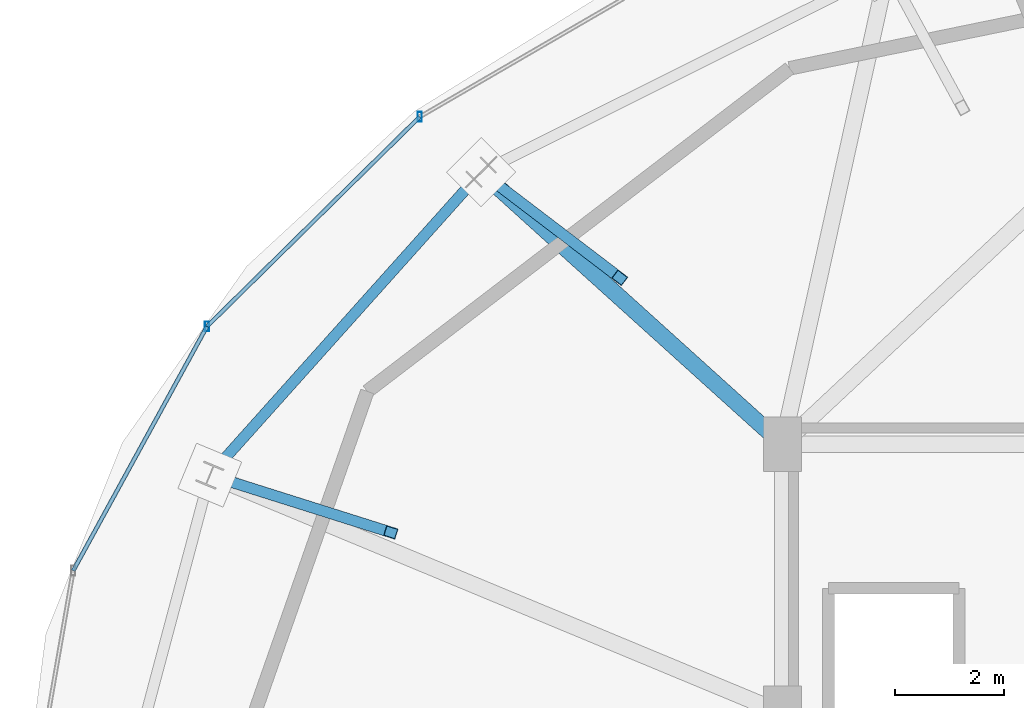
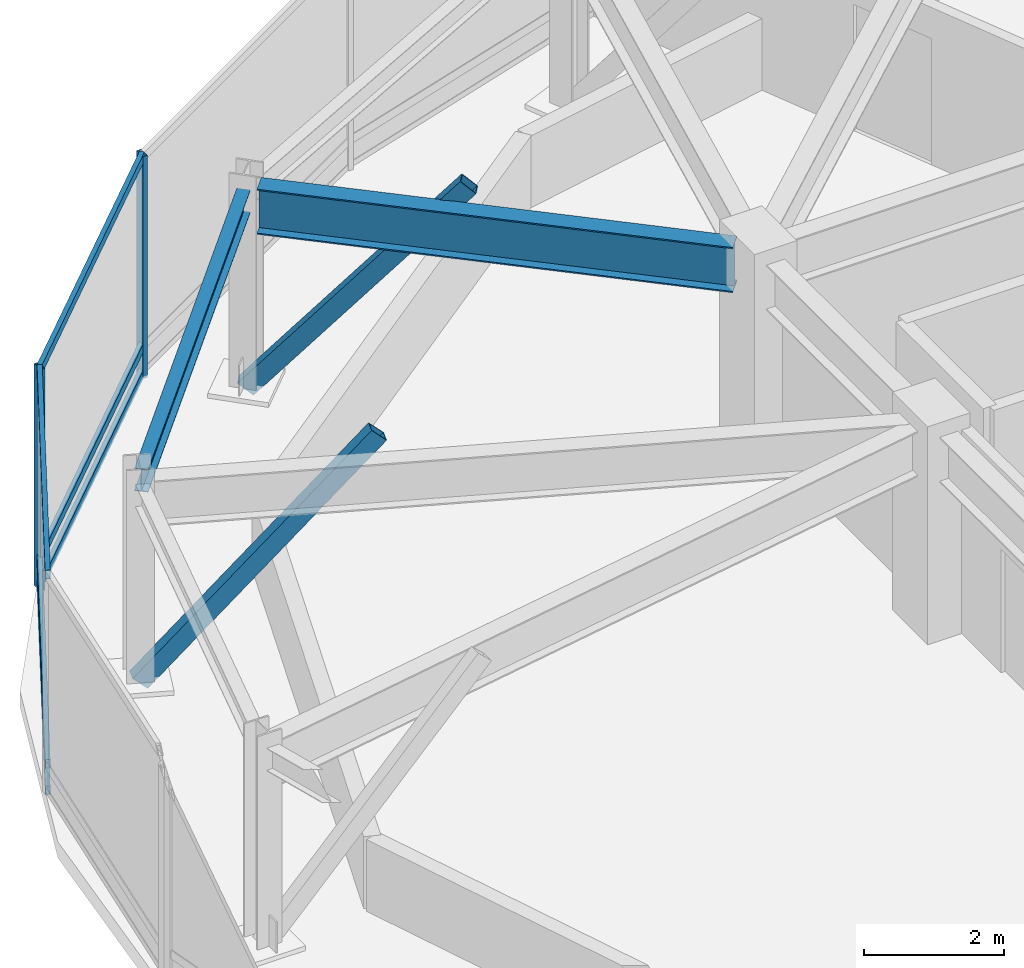
# One storey, part 10 of 28: 10 members, 2 beams, 1 element without a shape of its own.
"""IFC4 building model written with IfcOpenShell, lengths in metres."""

from ifc_helpers import new_model, si_unit, direction, frame, origin, origin_2d, place, context, subcontext, project, spatial, hollow_rectangle, i_section, extrude, material, material_profile, profile_set, type_object, element, aggregate, save


model = new_model("IFC4")

# Units and contexts
model_context = context("Model", 3, precision=1e-05, world=origin(), true_north=direction((0.0, 1.0)))
body_context = subcontext(model_context, "Body", "Model", "MODEL_VIEW")
ifc_project = project(units=[si_unit("LENGTHUNIT", "METRE"), si_unit("AREAUNIT", "SQUARE_METRE"), si_unit("VOLUMEUNIT", "CUBIC_METRE"), si_unit("PLANEANGLEUNIT", "RADIAN"), si_unit("MASSUNIT", "GRAM", prefix="KILO")], contexts=[model_context])

# Site, building, storey
site_placement = place(None, origin())
site = spatial("IfcSite", under=ifc_project, at=site_placement, CompositionType="ELEMENT")
building_placement = place(site_placement, origin())
building = spatial("IfcBuilding", under=site, at=building_placement, Name="Vorneva Point Tower", CompositionType="ELEMENT")
storey_placement = place(building_placement, frame((0.0, 0.0, 295.39990234375)))
storey = spatial("IfcBuildingStorey", under=building, at=storey_placement, Name="C01", CompositionType="ELEMENT", Elevation=295.39990234375)

# Beams
ifc_material_1 = material(Name="Steel S355", Category="steel")
ifc_material_profile_1 = material_profile(ifc_material_1, i_section(OverallWidth=0.300048828125, OverallDepth=0.7880859375, WebThickness=0.014404296875, FlangeThickness=0.02197265625, at=origin_2d()), Name="80Sh1")
ifc_profile_set_1 = profile_set([ifc_material_profile_1], Name="Steel S355")
beam_type_1 = type_object("IfcBeamType", Name="BM-GRD-80Sh1", PredefinedType="USERDEFINED", material=ifc_profile_set_1)
beam_1_placement = place(storey_placement, frame((21.8408203125, 38.0361328125, 3.156005859375), z_axis=(0.742082348694, -0.670308725706, 0.0), x_axis=(0.670308725706, 0.742082348694, 0.0)))
element("IfcBeam", 1, at=beam_1_placement, inside=storey, type_object=beam_type_1, Name="C01 Radial Primary Girder 07", ObjectType="GIRDER", PredefinedType="USERDEFINED", context=body_context, shape_type="SweptSolid", body=[
    extrude(i_section(OverallWidth=0.300048828125, OverallDepth=0.7880859375, WebThickness=0.014404296875, FlangeThickness=0.02197265625, at=origin_2d()), origin(), (0.0, 0.0, 1.0), 6.94921875),
])
ifc_material_profile_2 = material_profile(ifc_material_1, i_section(OverallWidth=0.198974609375, OverallDepth=0.39599609375, WebThickness=0.007080078125, FlangeThickness=0.010986328125, at=origin_2d()), Name="40B1")
ifc_profile_set_2 = profile_set([ifc_material_profile_2], Name="Steel S355")
beam_type_2 = type_object("IfcBeamType", Name="BM-SPN-40B1", PredefinedType="SPANDREL", material=ifc_profile_set_2)
beam_2_placement = place(storey_placement, frame((21.577880859375, 38.0244140625, 3.35205078125), z_axis=(-0.66710049095, -0.744967740895, 0.0), x_axis=(0.744967740895, -0.66710049095, 0.0)))
element("IfcBeam", 2, at=beam_2_placement, inside=storey, type_object=beam_type_2, Name="C01 Perimeter Spandrel Ring Beam 07", PredefinedType="SPANDREL", context=body_context, shape_type="SweptSolid", body=[
    extrude(i_section(OverallWidth=0.198974609375, OverallDepth=0.39599609375, WebThickness=0.007080078125, FlangeThickness=0.010986328125, at=origin_2d()), origin(), (0.0, 0.0, 1.0), 7.120361328125),
])

# Curtain wall, members
ifc_material_2 = material(Name="Pale anodised aluminium", Category="aluminium")
curtain_wall_type = type_object("IfcCurtainWallType", Name="CW-CRN-SYS", PredefinedType="NOTDEFINED", material=ifc_material_2)
curtain_wall_placement = place(storey_placement, origin())
curtain_wall = element("IfcCurtainWall", 3, at=curtain_wall_placement, inside=storey, type_object=curtain_wall_type, Name="C01 Unitised Curtain Wall CW-C01-Q2", PredefinedType="NOTDEFINED")
ifc_material_profile_3 = material_profile(ifc_material_2, hollow_rectangle(XDim=0.074951171875, YDim=0.179931640625, WallThickness=0.00390625, at=origin_2d()), Name="AL-MUL 180x75x4")
ifc_profile_set_3 = profile_set([ifc_material_profile_3], Name="Pale anodised aluminium")
member_type_1 = type_object("IfcMemberType", Name="CW-MUL-180", PredefinedType="MULLION", material=ifc_profile_set_3)
member_1_placement = place(storey_placement, frame((20.56982421875, 39.180419921875, -0.039794921875), z_axis=(0.0, 0.0, 1.0), x_axis=(1.0, 0.0, 0.0)))
member_1 = element("IfcMember", 4, at=member_1_placement, type_object=member_type_1, Name="CW-C01-Q2 Mullion 04", PredefinedType="MULLION", context=body_context, shape_type="SweptSolid", body=[
    extrude(hollow_rectangle(XDim=0.074951171875, YDim=0.179931640625, WallThickness=0.00390625, at=origin_2d()), origin(), (0.0, 0.0, 1.0), 3.869873046875),
])
member_2_placement = place(storey_placement, frame((16.652587890625, 35.320068359375, -0.039794921875), z_axis=(0.0, 0.0, 1.0), x_axis=(1.0, 0.0, 0.0)))
member_2 = element("IfcMember", 5, at=member_2_placement, type_object=member_type_1, Name="CW-C01-Q2 Mullion 05", PredefinedType="MULLION", context=body_context, shape_type="SweptSolid", body=[
    extrude(hollow_rectangle(XDim=0.074951171875, YDim=0.179931640625, WallThickness=0.00390625, at=origin_2d()), origin(), (0.0, 0.0, 1.0), 3.869873046875),
])
ifc_material_profile_4 = material_profile(ifc_material_2, hollow_rectangle(XDim=0.074951171875, YDim=0.14990234375, WallThickness=0.00390625, at=origin_2d()), Name="AL-TRN 150x75x4")
ifc_profile_set_4 = profile_set([ifc_material_profile_4], Name="Pale anodised aluminium")
member_type_2 = type_object("IfcMemberType", Name="CW-TRN-150", PredefinedType="USERDEFINED", material=ifc_profile_set_4)
member_3_placement = place(storey_placement, frame((20.56982421875, 39.180419921875, 0.02001953125), z_axis=(-0.712259463198, -0.701916274982, 0.0), x_axis=(0.701916274982, -0.712259463198, 0.0)))
member_3 = element("IfcMember", 6, at=member_3_placement, type_object=member_type_2, Name="CW-C01-Q2 Transom 04.1", ObjectType="TRANSOM", PredefinedType="USERDEFINED", context=body_context, shape_type="SweptSolid", body=[
    extrude(hollow_rectangle(XDim=0.074951171875, YDim=0.14990234375, WallThickness=0.00390625, at=origin_2d()), origin(), (0.0, 0.0, 1.0), 5.499755859375),
])
member_4_placement = place(storey_placement, frame((20.56982421875, 39.180419921875, 0.47998046875), z_axis=(-0.712259463198, -0.701916274982, 0.0), x_axis=(0.701916274982, -0.712259463198, 0.0)))
member_4 = element("IfcMember", 7, at=member_4_placement, type_object=member_type_2, Name="CW-C01-Q2 Transom 04.2", ObjectType="TRANSOM", PredefinedType="USERDEFINED", context=body_context, shape_type="SweptSolid", body=[
    extrude(hollow_rectangle(XDim=0.074951171875, YDim=0.14990234375, WallThickness=0.00390625, at=origin_2d()), origin(), (0.0, 0.0, 1.0), 5.499755859375),
])
member_5_placement = place(storey_placement, frame((20.56982421875, 39.180419921875, 3.780029296875), z_axis=(-0.712259463198, -0.701916274982, 0.0), x_axis=(0.701916274982, -0.712259463198, 0.0)))
member_5 = element("IfcMember", 8, at=member_5_placement, type_object=member_type_2, Name="CW-C01-Q2 Transom 04.3", ObjectType="TRANSOM", PredefinedType="USERDEFINED", context=body_context, shape_type="SweptSolid", body=[
    extrude(hollow_rectangle(XDim=0.074951171875, YDim=0.14990234375, WallThickness=0.00390625, at=origin_2d()), origin(), (0.0, 0.0, 1.0), 5.499755859375),
])
member_6_placement = place(storey_placement, frame((16.652587890625, 35.320068359375, 0.02001953125), z_axis=(-0.480429774856, -0.877033198592, 0.0), x_axis=(0.877033198592, -0.480429774856, 0.0)))
member_6 = element("IfcMember", 9, at=member_6_placement, type_object=member_type_2, Name="CW-C01-Q2 Transom 05.1", ObjectType="TRANSOM", PredefinedType="USERDEFINED", context=body_context, shape_type="SweptSolid", body=[
    extrude(hollow_rectangle(XDim=0.074951171875, YDim=0.14990234375, WallThickness=0.00390625, at=origin_2d()), origin(), (0.0, 0.0, 1.0), 5.1259765625),
])
member_7_placement = place(storey_placement, frame((16.652587890625, 35.320068359375, 0.47998046875), z_axis=(-0.480429774856, -0.877033198592, 0.0), x_axis=(0.877033198592, -0.480429774856, 0.0)))
member_7 = element("IfcMember", 10, at=member_7_placement, type_object=member_type_2, Name="CW-C01-Q2 Transom 05.2", ObjectType="TRANSOM", PredefinedType="USERDEFINED", context=body_context, shape_type="SweptSolid", body=[
    extrude(hollow_rectangle(XDim=0.074951171875, YDim=0.14990234375, WallThickness=0.00390625, at=origin_2d()), origin(), (0.0, 0.0, 1.0), 5.1259765625),
])
member_8_placement = place(storey_placement, frame((16.652587890625, 35.320068359375, 3.780029296875), z_axis=(-0.480429774856, -0.877033198592, 0.0), x_axis=(0.877033198592, -0.480429774856, 0.0)))
member_8 = element("IfcMember", 11, at=member_8_placement, type_object=member_type_2, Name="CW-C01-Q2 Transom 05.3", ObjectType="TRANSOM", PredefinedType="USERDEFINED", context=body_context, shape_type="SweptSolid", body=[
    extrude(hollow_rectangle(XDim=0.074951171875, YDim=0.14990234375, WallThickness=0.00390625, at=origin_2d()), origin(), (0.0, 0.0, 1.0), 5.1259765625),
])
aggregate(curtain_wall, [member_1, member_2, member_3, member_4, member_5, member_6, member_7, member_8])

# Members
ifc_material_profile_5 = material_profile(ifc_material_1, hollow_rectangle(XDim=0.199951171875, YDim=0.300048828125, WallThickness=0.011962890625, at=origin_2d()), Name="PP 300x200x12")
ifc_profile_set_5 = profile_set([ifc_material_profile_5], Name="Steel S355")
member_type_3 = type_object("IfcMemberType", Name="MBR-CRN-PP300", PredefinedType="CHORD", material=ifc_profile_set_5)
member_9_placement = place(storey_placement, frame((21.701171875, 38.162109375, 0.0), z_axis=(0.513033981521, -0.390985897496, 0.764150614581), x_axis=(0.606144108683, 0.795354838741, 0.0)))
element("IfcMember", 12, at=member_9_placement, inside=storey, type_object=member_type_3, Name="Crown Tapered Frame Rib C01-07", PredefinedType="CHORD", context=body_context, shape_type="SweptSolid", body=[
    extrude(hollow_rectangle(XDim=0.199951171875, YDim=0.300048828125, WallThickness=0.011962890625, at=origin_2d()), origin(), (0.0, 0.0, 1.0), 4.972900390625),
])
member_10_placement = place(storey_placement, frame((16.70458984375, 32.582275390625, 0.0), z_axis=(0.645578203755, -0.203844403163, 0.735986577415), x_axis=(0.301101283468, 0.953592164971, 0.0)))
element("IfcMember", 13, at=member_10_placement, inside=storey, type_object=member_type_3, Name="Crown Tapered Frame Rib C01-08", PredefinedType="CHORD", context=body_context, shape_type="SweptSolid", body=[
    extrude(hollow_rectangle(XDim=0.199951171875, YDim=0.300048828125, WallThickness=0.011962890625, at=origin_2d()), origin(), (0.0, 0.0, 1.0), 5.1630859375),
])

save(model, "model.ifc")
